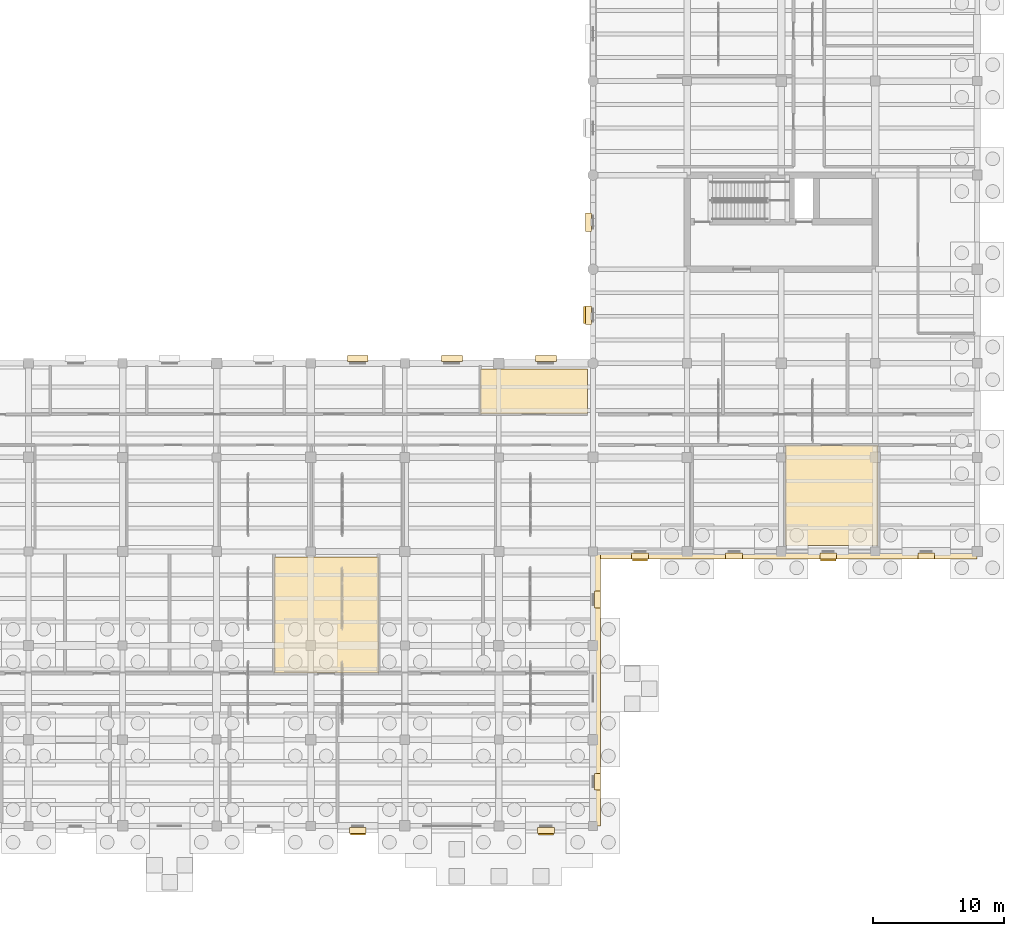
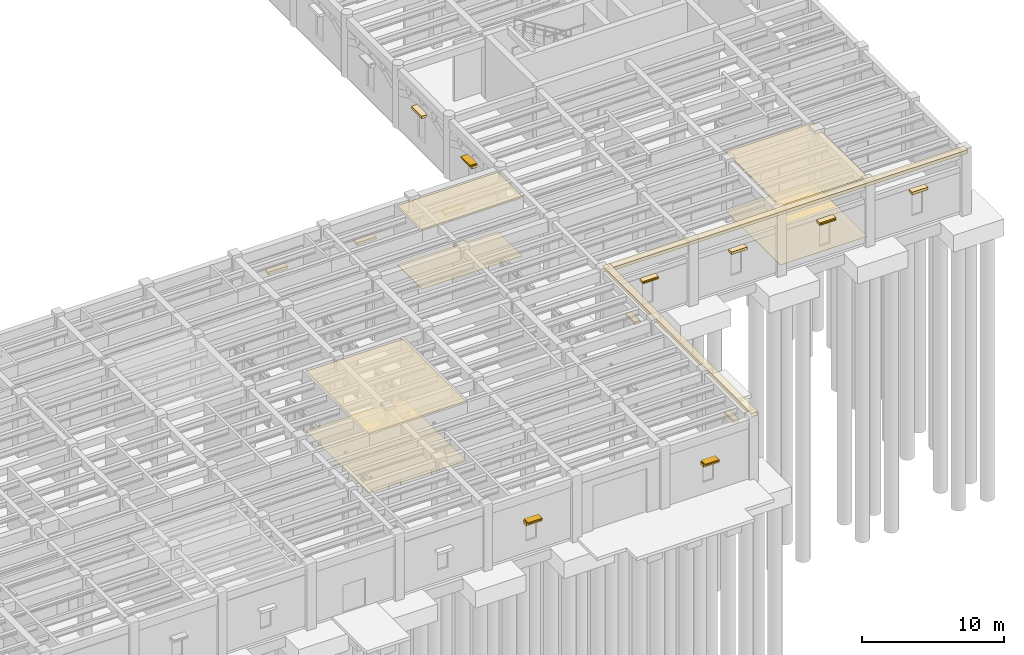
# One storey, part 96 of 100: 21 coverings, 5 shading devices.
"""IFC4 building model written with IfcOpenShell, lengths in metres."""

from ifc_helpers import new_model, si_unit, direction, frame, origin, origin_2d, place, context, subcontext, project, spatial, polyline, rectangle, outline, extrude, material, layer, layer_set, type_object, element, save


model = new_model("IFC4")

# Units and contexts
model_context = context("Model", 3, precision=1e-05, world=origin(), true_north=direction((0.0, 1.0)))
body_context = subcontext(model_context, "Body", "Model", "MODEL_VIEW")
ifc_project = project(units=[si_unit("LENGTHUNIT", "METRE"), si_unit("AREAUNIT", "SQUARE_METRE"), si_unit("VOLUMEUNIT", "CUBIC_METRE"), si_unit("PLANEANGLEUNIT", "RADIAN"), si_unit("MASSUNIT", "GRAM", prefix="KILO")], contexts=[model_context])

# Site, building, storey
site_placement = place(None, origin())
site = spatial("IfcSite", under=ifc_project, at=site_placement, CompositionType="ELEMENT")
building_placement = place(site_placement, origin())
building = spatial("IfcBuilding", under=site, at=building_placement, Name="Mithqara Police Headquarters", CompositionType="ELEMENT")
storey_placement = place(building_placement, origin())
storey = spatial("IfcBuildingStorey", under=building, at=storey_placement, Name="L00", CompositionType="ELEMENT", Elevation=0.0)

# Coverings
ifc_material_1 = material(Name="Acoustic mineral-fibre ceiling tile", Category="gypsum")
ifc_layer_1 = layer(ifc_material_1, 0.02490234375, Name="Acoustic mineral-fibre ceiling tile")
ifc_layer_set_1 = layer_set([ifc_layer_1], Name="Acoustic mineral-fibre ceiling tile")
covering_type_1 = type_object("IfcCoveringType", Name="ACOUSTIC CEILING TILE", PredefinedType="CEILING", material=ifc_layer_set_1)
covering_1_placement = place(storey_placement, frame((0.0, 0.0, 5.094970703125)))
element("IfcCovering", 1, at=covering_1_placement, inside=storey, type_object=covering_type_1, Name="Lost and Found Counter Acoustic Ceiling", PredefinedType="CEILING", context=body_context, shape_type="SweptSolid", body=[
    extrude(outline(polyline([(135.97802734375, 31.510009765625), (144.159912109375, 31.510009765625), (144.159912109375, 34.9599609375), (135.97802734375, 34.9599609375), (135.97802734375, 31.510009765625)])), origin(), (0.0, 0.0, 1.0), 0.025146484375),
])
covering_2_placement = place(storey_placement, frame((0.0, 0.0, 5.094970703125)))
element("IfcCovering", 2, at=covering_2_placement, inside=storey, type_object=covering_type_1, Name="Crime Scene Kit Preparation Room Acoustic Ceiling", PredefinedType="CEILING", context=body_context, shape_type="SweptSolid", body=[
    extrude(outline(polyline([(159.320068359375, 21.43994140625), (166.419921875, 21.43994140625), (166.419921875, 29.1298828125), (159.320068359375, 29.1298828125), (159.320068359375, 21.43994140625)])), origin(), (0.0, 0.0, 1.0), 0.025146484375),
])
covering_3_placement = place(storey_placement, frame((0.0, 0.0, 5.094970703125)))
element("IfcCovering", 3, at=covering_3_placement, inside=storey, type_object=covering_type_1, Name="Custody Escort Lobby Acoustic Ceiling", PredefinedType="CEILING", context=body_context, shape_type="SweptSolid", body=[
    extrude(outline(polyline([(120.215087890625, 11.68994140625), (128.169921875, 11.68994140625), (128.169921875, 20.56005859375), (120.215087890625, 20.56005859375), (120.215087890625, 11.68994140625)])), origin(), (0.0, 0.0, 1.0), 0.025146484375),
])
ifc_material_2 = material(Name="Limestone ashlar masonry, 45 MPa", Category="masonry")
ifc_layer_2 = layer(ifc_material_2, 0.320068359375, Name="Limestone ashlar masonry, 45 MPa")
ifc_layer_set_2 = layer_set([ifc_layer_2], Name="Limestone ashlar masonry, 45 MPa")
covering_type_2 = type_object("IfcCoveringType", Name="CORNICE LIMESTONE", PredefinedType="CLADDING", material=ifc_layer_set_2)
covering_4_placement = place(storey_placement, frame((144.8798828125, 10.5, 5.1201171875), z_axis=(0.0, 0.0, 1.0), x_axis=(0.0, 1.0, 0.0)))
element("IfcCovering", 4, at=covering_4_placement, inside=storey, type_object=covering_type_2, Name="L00 Projecting Ottoman Limestone Eaves Cornice 3", PredefinedType="CLADDING", context=body_context, shape_type="SweptSolid", body=[
    extrude(rectangle(XDim=21.0, YDim=0.56005859375, at=origin_2d()), origin(), (0.0, 0.0, 1.0), 0.280029296875),
])
covering_5_placement = place(storey_placement, frame((159.300048828125, 20.719970703125, 5.1201171875), z_axis=(0.0, 0.0, 1.0), x_axis=(1.0, 0.0, 0.0)))
element("IfcCovering", 5, at=covering_5_placement, inside=storey, type_object=covering_type_2, Name="L00 Projecting Ottoman Limestone Eaves Cornice 4", PredefinedType="CLADDING", context=body_context, shape_type="SweptSolid", body=[
    extrude(rectangle(XDim=29.39990234375, YDim=0.56005859375, at=origin_2d()), origin(), (0.0, 0.0, 1.0), 0.280029296875),
])

# Shading devices
ifc_material_3 = material(Name="Bronze anodised aluminium 6063-T6", Category="aluminium")
shading_device_type = type_object("IfcShadingDeviceType", Name="SOLAR LOUVRE BRONZE", PredefinedType="JALOUSIE", material=ifc_material_3)
for number, where, z_axis, x_axis, name in (
    (6, (126.60009765625, -0.409912109375, 2.83984375), (0.0, 0.0, 1.0), (1.0, 0.0, 0.0), "L00 Window Solar Louvre Hood 2.7"),
    (7, (141.0, -0.409912109375, 2.83984375), (0.0, 0.0, 1.0), (1.0, 0.0, 0.0), "L00 Window Solar Louvre Hood 2.9"),
    (8, (148.199951171875, 20.590087890625, 3.239990234375), (0.0, 0.0, 1.0), (1.0, 0.0, 0.0), "L00 Window Solar Louvre Hood 4.1"),
    (9, (162.60009765625, 20.590087890625, 3.239990234375), (0.0, 0.0, 1.0), (1.0, 0.0, 0.0), "L00 Window Solar Louvre Hood 4.3"),
):
    element("IfcShadingDevice", number, at=place(storey_placement, frame(where, z_axis=z_axis, x_axis=x_axis)), inside=storey, type_object=shading_device_type, Name=name, PredefinedType="JALOUSIE", context=body_context, shape_type="SweptSolid", body=[
        extrude(rectangle(XDim=1.14990234375, YDim=0.60009765625, at=origin_2d()), origin(), (0.0, 0.0, 1.0), 0.10009765625),
    ])
shading_device_placement = place(storey_placement, frame((144.18994140625, 39.080078125, 3.58984375), z_axis=(0.0, 0.0, 1.0), x_axis=(0.0, 1.0, 0.0)))
element("IfcShadingDevice", 10, at=shading_device_placement, inside=storey, type_object=shading_device_type, Name="L00 Window Solar Louvre Hood 4.1", PredefinedType="JALOUSIE", context=body_context, shape_type="SweptSolid", body=[
    extrude(rectangle(XDim=1.300048828125, YDim=0.60009765625, at=origin_2d()), origin(), (0.0, 0.0, 1.0), 0.10009765625),
])

# Coverings
ifc_material_4 = material(Name="Polished limestone terrazzo flooring", Category="masonry")
ifc_layer_3 = layer(ifc_material_4, 0.02001953125, Name="Polished limestone terrazzo flooring")
ifc_layer_set_3 = layer_set([ifc_layer_3], Name="Polished limestone terrazzo flooring")
covering_type_3 = type_object("IfcCoveringType", Name="TERRAZZO FLOOR FINISH", PredefinedType="FLOORING", material=ifc_layer_set_3)
covering_6_placement = place(storey_placement, origin())
element("IfcCovering", 11, at=covering_6_placement, inside=storey, type_object=covering_type_3, Name="Lost and Found Counter Terrazzo Floor Finish", PredefinedType="FLOORING", context=body_context, shape_type="SweptSolid", body=[
    extrude(outline(polyline([(135.97802734375, 31.510009765625), (144.159912109375, 31.510009765625), (144.159912109375, 34.9599609375), (135.97802734375, 34.9599609375), (135.97802734375, 31.510009765625)])), origin(), (0.0, 0.0, 1.0), 0.02001953125),
])
covering_7_placement = place(storey_placement, origin())
element("IfcCovering", 12, at=covering_7_placement, inside=storey, type_object=covering_type_3, Name="Crime Scene Kit Preparation Room Terrazzo Floor Finish", PredefinedType="FLOORING", context=body_context, shape_type="SweptSolid", body=[
    extrude(outline(polyline([(159.320068359375, 21.43994140625), (166.419921875, 21.43994140625), (166.419921875, 29.1298828125), (159.320068359375, 29.1298828125), (159.320068359375, 21.43994140625)])), origin(), (0.0, 0.0, 1.0), 0.02001953125),
])
covering_8_placement = place(storey_placement, origin())
element("IfcCovering", 13, at=covering_8_placement, inside=storey, type_object=covering_type_3, Name="Custody Escort Lobby Terrazzo Floor Finish", PredefinedType="FLOORING", context=body_context, shape_type="SweptSolid", body=[
    extrude(outline(polyline([(120.215087890625, 11.68994140625), (128.169921875, 11.68994140625), (128.169921875, 20.56005859375), (120.215087890625, 20.56005859375), (120.215087890625, 11.68994140625)])), origin(), (0.0, 0.0, 1.0), 0.02001953125),
])
ifc_layer_4 = layer(ifc_material_2, 0.239990234375, Name="Limestone ashlar masonry, 45 MPa")
ifc_layer_set_4 = layer_set([ifc_layer_4], Name="Limestone ashlar masonry, 45 MPa")
covering_type_4 = type_object("IfcCoveringType", Name="WINDOW HOOD LIMESTONE", PredefinedType="CLADDING", material=ifc_layer_set_4)
for number, where, z_axis, x_axis, name in (
    (14, (126.60009765625, -0.35009765625, 2.6201171875), (0.0, 0.0, 1.0), (1.0, 0.0, 0.0), "L00 Limestone Window Architrave Hood 2.7"),
    (15, (141.0, -0.35009765625, 2.6201171875), (0.0, 0.0, 1.0), (1.0, 0.0, 0.0), "L00 Limestone Window Architrave Hood 2.9"),
    (16, (144.949951171875, 3.3798828125, 2.8701171875), (0.0, 0.0, 1.0), (0.0, 1.0, 0.0), "L00 Limestone Window Architrave Hood 3.1"),
    (17, (144.949951171875, 17.320068359375, 2.8701171875), (0.0, 0.0, 1.0), (0.0, 1.0, 0.0), "L00 Limestone Window Architrave Hood 3.3"),
    (18, (148.199951171875, 20.64990234375, 3.1201171875), (0.0, 0.0, 1.0), (1.0, 0.0, 0.0), "L00 Limestone Window Architrave Hood 4.1"),
    (19, (155.39990234375, 20.64990234375, 3.1201171875), (0.0, 0.0, 1.0), (1.0, 0.0, 0.0), "L00 Limestone Window Architrave Hood 4.2"),
    (20, (162.60009765625, 20.64990234375, 3.1201171875), (0.0, 0.0, 1.0), (1.0, 0.0, 0.0), "L00 Limestone Window Architrave Hood 4.3"),
    (21, (170.10009765625, 20.64990234375, 3.1201171875), (0.0, 0.0, 1.0), (1.0, 0.0, 0.0), "L00 Limestone Window Architrave Hood 4.4"),
):
    element("IfcCovering", number, at=place(storey_placement, frame(where, z_axis=z_axis, x_axis=x_axis)), inside=storey, type_object=covering_type_4, Name=name, PredefinedType="CLADDING", context=body_context, shape_type="SweptSolid", body=[
        extrude(rectangle(XDim=1.2900390625, YDim=0.4599609375, at=origin_2d()), origin(), (0.0, 0.0, 1.0), 0.219970703125),
    ])
for number, where, z_axis, x_axis, name in (
    (22, (144.25, 39.080078125, 3.3701171875), (0.0, 0.0, 1.0), (0.0, 1.0, 0.0), "L00 Limestone Window Architrave Hood 4.1"),
    (23, (144.25, 46.199951171875, 3.3701171875), (0.0, 0.0, 1.0), (0.0, 1.0, 0.0), "L00 Limestone Window Architrave Hood 4.2"),
):
    element("IfcCovering", number, at=place(storey_placement, frame(where, z_axis=z_axis, x_axis=x_axis)), inside=storey, type_object=covering_type_4, Name=name, PredefinedType="CLADDING", context=body_context, shape_type="SweptSolid", body=[
        extrude(rectangle(XDim=1.43994140625, YDim=0.4599609375, at=origin_2d()), origin(), (0.0, 0.0, 1.0), 0.219970703125),
    ])
for number, where, z_axis, x_axis, name in (
    (24, (126.60009765625, 35.75, 2.3701171875), (0.0, 0.0, 1.0), (1.0, 0.0, 0.0), "L00 Limestone Window Architrave Hood 5.5"),
    (25, (133.800048828125, 35.75, 2.3701171875), (0.0, 0.0, 1.0), (1.0, 0.0, 0.0), "L00 Limestone Window Architrave Hood 5.6"),
    (26, (141.0, 35.75, 2.3701171875), (0.0, 0.0, 1.0), (1.0, 0.0, 0.0), "L00 Limestone Window Architrave Hood 5.7"),
):
    element("IfcCovering", number, at=place(storey_placement, frame(where, z_axis=z_axis, x_axis=x_axis)), inside=storey, type_object=covering_type_4, Name=name, PredefinedType="CLADDING", context=body_context, shape_type="SweptSolid", body=[
        extrude(rectangle(XDim=1.590087890625, YDim=0.4599609375, at=origin_2d()), origin(), (0.0, 0.0, 1.0), 0.219970703125),
    ])

save(model, "model.ifc")
